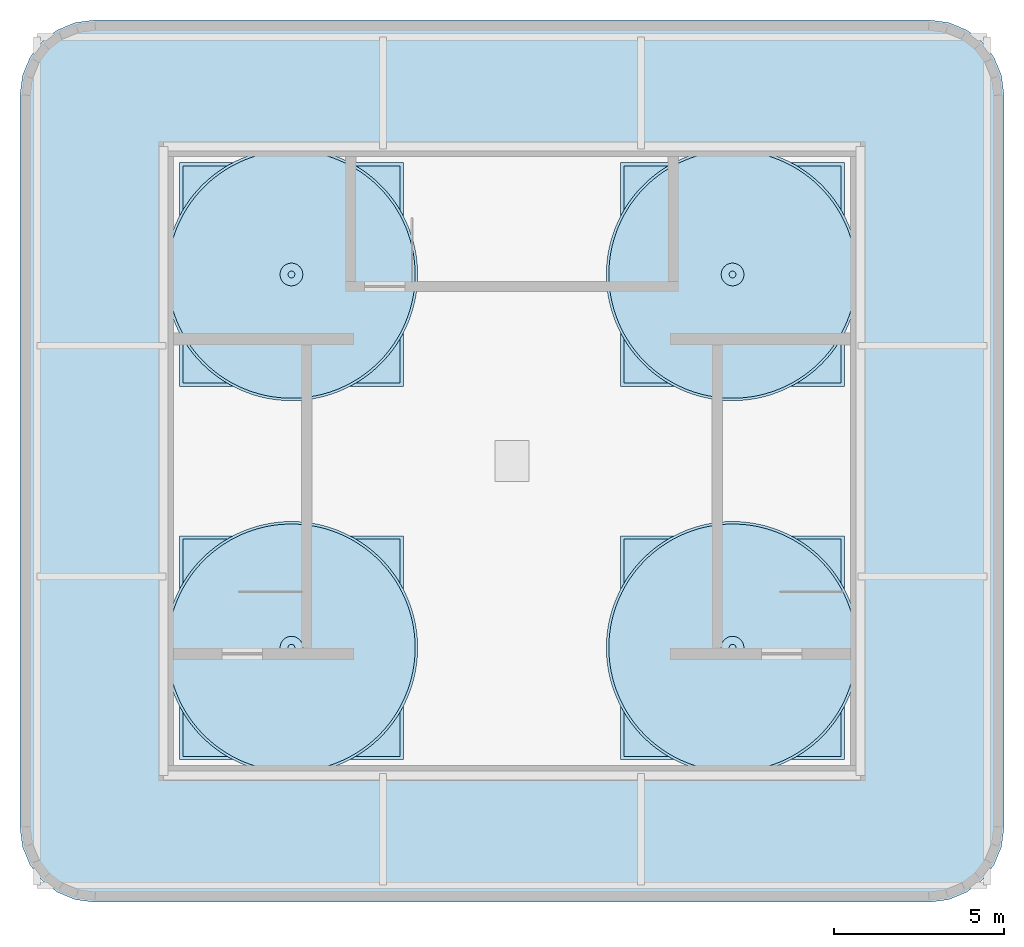
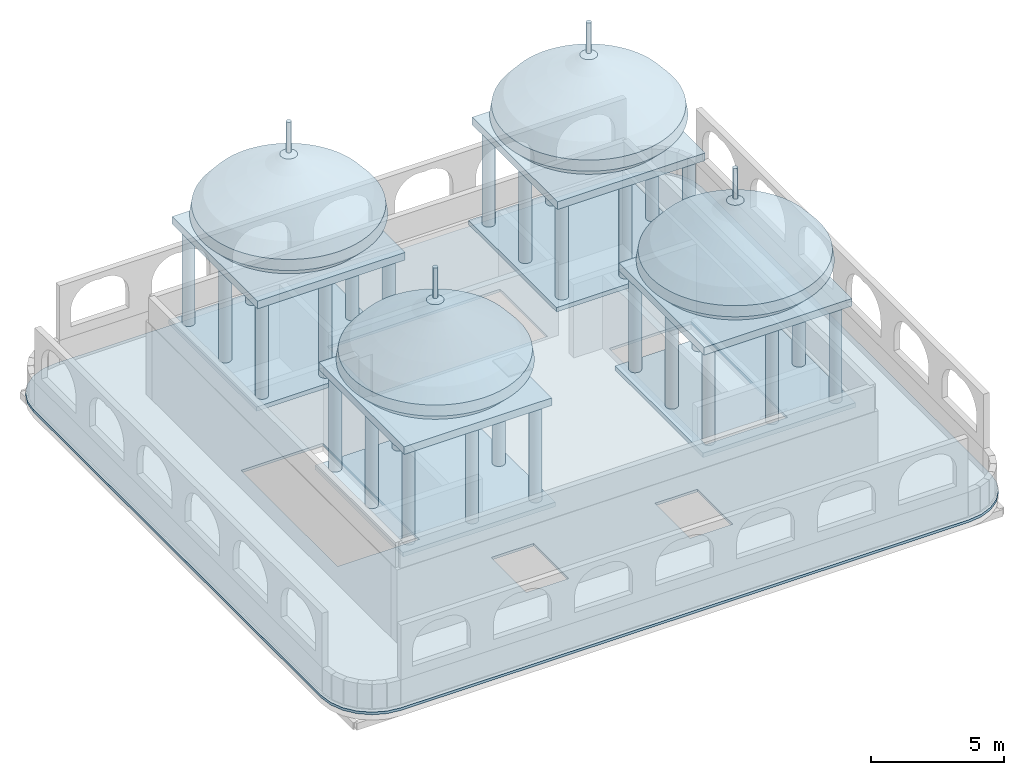
# One storey, part 2 of 3: 5 roofs.
"""IFC4 building model written with IfcOpenShell, lengths in metres."""

from ifc_helpers import new_model, entity, si_unit, direction, frame, origin, origin_2d, place, context, subcontext, project, spatial, polyline, rectangle, circle, outline, extrude, material, layer, layer_set, type_object, element, save


model = new_model("IFC4")

# Units and contexts
model_context = context("Model", 3, precision=1e-05, world=origin(), true_north=direction((0.0, 1.0)))
body_context = subcontext(model_context, "Body", "Model", "MODEL_VIEW")
ifc_project = project(units=[si_unit("LENGTHUNIT", "METRE"), si_unit("AREAUNIT", "SQUARE_METRE"), si_unit("VOLUMEUNIT", "CUBIC_METRE"), si_unit("PLANEANGLEUNIT", "RADIAN"), si_unit("MASSUNIT", "GRAM", prefix="KILO")], contexts=[model_context])

# Site, building, storey
site_placement = place(None, origin())
site = spatial("IfcSite", under=ifc_project, at=site_placement, CompositionType="ELEMENT")
building_placement = place(site_placement, origin())
building = spatial("IfcBuilding", under=site, at=building_placement, Name="Punatoya Terracotta Tower", CompositionType="ELEMENT")
storey_placement = place(building_placement, frame((0.0, 0.0, 370.800048828125)))
storey = spatial("IfcBuildingStorey", under=building, at=storey_placement, Name="RF", CompositionType="ELEMENT", Elevation=370.800048828125)

# Roofs
ifc_material_1 = material(Name="Concrete C40/50", Category="concrete")
ifc_layer = layer(ifc_material_1, 0.25)
ifc_layer_set = layer_set([ifc_layer], Name="Concrete C40/50")
roof_type_1 = type_object("IfcRoofType", Name="ROF-BARADARI", PredefinedType="FLAT_ROOF", material=ifc_layer_set)
roof_1_placement = place(storey_placement, origin())
element("IfcRoof", 1, at=roof_1_placement, inside=storey, type_object=roof_type_1, Name="RF Baradari Crown Waterproofing Roof Assembly", PredefinedType="FLAT_ROOF", context=body_context, shape_type="SweptSolid", body=[
    extrude(outline(polyline([(-12.300048828125, -13.0), (12.300048828125, -13.0), (12.869384765625, -12.925048828125), (13.39990234375, -12.705322265625), (13.855712890625, -12.355712890625), (14.205322265625, -11.89990234375), (14.425048828125, -11.369384765625), (14.5, -10.800048828125), (14.5, 10.800048828125), (14.425048828125, 11.369384765625), (14.205322265625, 11.89990234375), (13.855712890625, 12.355712890625), (13.39990234375, 12.705322265625), (12.869384765625, 12.925048828125), (12.300048828125, 13.0), (-12.300048828125, 13.0), (-12.869384765625, 12.925048828125), (-13.39990234375, 12.705322265625), (-13.855712890625, 12.355712890625), (-14.205322265625, 11.89990234375), (-14.425048828125, 11.369384765625), (-14.5, 10.800048828125), (-14.5, -10.800048828125), (-14.425048828125, -11.369384765625), (-14.205322265625, -11.89990234375), (-13.855712890625, -12.355712890625), (-13.39990234375, -12.705322265625), (-12.869384765625, -12.925048828125), (-12.300048828125, -13.0)]), holes=[polyline([(-4.469970703125, -6.179931640625), (-2.6298828125, -6.179931640625), (-2.6298828125, -8.820068359375), (-4.469970703125, -8.820068359375), (-4.469970703125, -6.179931640625)]), polyline([(2.6298828125, -6.179931640625), (4.469970703125, -6.179931640625), (4.469970703125, -8.820068359375), (2.6298828125, -8.820068359375), (2.6298828125, -6.179931640625)]), polyline([(-9.75, -3.79931640625), (-9.75, 3.449951171875), (-6.199951171875, 3.449951171875), (-6.199951171875, -3.79931640625), (-9.75, -3.79931640625)]), polyline([(6.199951171875, 3.449951171875), (9.75, 3.449951171875), (9.75, -3.79931640625), (6.199951171875, -3.79931640625), (6.199951171875, 3.449951171875)]), polyline([(4.60009765625, 8.85009765625), (4.60009765625, 5.300048828125), (-2.899169921875, 5.300048828125), (-2.899169921875, 8.85009765625), (4.60009765625, 8.85009765625)])]), origin(), (0.0, 0.0, 1.0), 0.119873046875),
])
ifc_material_2 = material(Name="Architectural Fired Terracotta", Category="masonry")
roof_type_2 = type_object("IfcRoofType", Name="ROF-CHH-6000", PredefinedType="DOME_ROOF", material=ifc_material_2)
roof_2_placement = place(storey_placement, frame((6.5, 5.5, 3.599853515625), z_axis=(0.0, 0.0, 1.0), x_axis=(1.0, 0.0, 0.0)))
cartesian_point_1 = entity("IfcCartesianPoint", [0.0, 0.0])
element("IfcRoof", 2, at=roof_2_placement, inside=storey, type_object=roof_type_2, Name="RF Crown Corner Pavilion (Chhatri) CH-14", PredefinedType="DOME_ROOF", context=body_context, shape_type="SweptSolid", body=[
    extrude(rectangle(XDim=6.60009765625, YDim=6.60009765625, at=origin_2d()), origin(), (0.0, 0.0, 1.0), 0.199951171875),
    extrude(circle(Radius=0.25, at=origin_2d()), frame((-2.75, -2.75, 0.199951171875)), (0.0, 0.0, 1.0), 4.39990234375),
    extrude(circle(Radius=0.25, at=origin_2d()), frame((2.75, -2.75, 0.199951171875)), (0.0, 0.0, 1.0), 4.39990234375),
    extrude(circle(Radius=0.25, at=origin_2d()), frame((2.75, 2.75, 0.199951171875)), (0.0, 0.0, 1.0), 4.39990234375),
    extrude(circle(Radius=0.25, at=origin_2d()), frame((-2.75, 2.75, 0.199951171875)), (0.0, 0.0, 1.0), 4.39990234375),
    extrude(circle(Radius=0.25, at=origin_2d()), frame((0.0, -2.75, 0.199951171875)), (0.0, 0.0, 1.0), 4.39990234375),
    extrude(circle(Radius=0.25, at=origin_2d()), frame((2.75, 0.0, 0.199951171875)), (0.0, 0.0, 1.0), 4.39990234375),
    extrude(circle(Radius=0.25, at=origin_2d()), frame((0.0, 2.75, 0.199951171875)), (0.0, 0.0, 1.0), 4.39990234375),
    extrude(circle(Radius=0.25, at=origin_2d()), frame((-2.75, 0.0, 0.199951171875)), (0.0, 0.0, 1.0), 4.39990234375),
    extrude(rectangle(XDim=6.39990234375, YDim=6.39990234375, at=origin_2d()), frame((0.0, 0.0, 4.599853515625)), (0.0, 0.0, 1.0), 0.35009765625),
    entity("IfcRevolvedAreaSolid", entity("IfcArbitraryClosedProfileDef", "AREA", None, entity("IfcPolyline", [cartesian_point_1, entity("IfcCartesianPoint", [2.455078125, 0.0]), entity("IfcCartesianPoint", [2.678466796875, 0.18994140625]), entity("IfcCartesianPoint", [3.273681640625, 0.493896484375]), entity("IfcCartesianPoint", [3.719970703125, 0.949951171875]), entity("IfcCartesianPoint", [3.6455078125, 1.406005859375]), entity("IfcCartesianPoint", [3.19921875, 1.93798828125]), entity("IfcCartesianPoint", [2.380859375, 2.469970703125]), entity("IfcCartesianPoint", [1.5625, 2.926025390625]), entity("IfcCartesianPoint", [0.892822265625, 3.26806640625]), entity("IfcCartesianPoint", [0.520751953125, 3.533935546875]), entity("IfcCartesianPoint", [0.334716796875, 3.68603515625]), entity("IfcCartesianPoint", [0.0, 3.800048828125]), cartesian_point_1])), entity("IfcAxis2Placement3D", entity("IfcCartesianPoint", [0.0, 0.0, 4.949951171875]), entity("IfcDirection", [0.0, -1.0, 0.0]), entity("IfcDirection", [1.0, 0.0, 0.0])), entity("IfcAxis1Placement", entity("IfcCartesianPoint", [0.0, 0.0, 0.0]), entity("IfcDirection", [0.0, 1.0, 0.0])), 6.283185307179586),
    extrude(circle(Radius=0.10009765625, at=origin_2d()), frame((0.0, 0.0, 8.75)), (0.0, 0.0, 1.0), 1.39990234375),
])
roof_3_placement = place(storey_placement, frame((-6.5, 5.5, 3.599853515625), z_axis=(0.0, 0.0, 1.0), x_axis=(1.0, 0.0, 0.0)))
cartesian_point_2 = entity("IfcCartesianPoint", [0.0, 0.0])
element("IfcRoof", 3, at=roof_3_placement, inside=storey, type_object=roof_type_2, Name="RF Crown Corner Pavilion (Chhatri) CH-15", PredefinedType="DOME_ROOF", context=body_context, shape_type="SweptSolid", body=[
    extrude(rectangle(XDim=6.60009765625, YDim=6.60009765625, at=origin_2d()), origin(), (0.0, 0.0, 1.0), 0.199951171875),
    extrude(circle(Radius=0.25, at=origin_2d()), frame((-2.75, -2.75, 0.199951171875)), (0.0, 0.0, 1.0), 4.39990234375),
    extrude(circle(Radius=0.25, at=origin_2d()), frame((2.75, -2.75, 0.199951171875)), (0.0, 0.0, 1.0), 4.39990234375),
    extrude(circle(Radius=0.25, at=origin_2d()), frame((2.75, 2.75, 0.199951171875)), (0.0, 0.0, 1.0), 4.39990234375),
    extrude(circle(Radius=0.25, at=origin_2d()), frame((-2.75, 2.75, 0.199951171875)), (0.0, 0.0, 1.0), 4.39990234375),
    extrude(circle(Radius=0.25, at=origin_2d()), frame((0.0, -2.75, 0.199951171875)), (0.0, 0.0, 1.0), 4.39990234375),
    extrude(circle(Radius=0.25, at=origin_2d()), frame((2.75, 0.0, 0.199951171875)), (0.0, 0.0, 1.0), 4.39990234375),
    extrude(circle(Radius=0.25, at=origin_2d()), frame((0.0, 2.75, 0.199951171875)), (0.0, 0.0, 1.0), 4.39990234375),
    extrude(circle(Radius=0.25, at=origin_2d()), frame((-2.75, 0.0, 0.199951171875)), (0.0, 0.0, 1.0), 4.39990234375),
    extrude(rectangle(XDim=6.39990234375, YDim=6.39990234375, at=origin_2d()), frame((0.0, 0.0, 4.599853515625)), (0.0, 0.0, 1.0), 0.35009765625),
    entity("IfcRevolvedAreaSolid", entity("IfcArbitraryClosedProfileDef", "AREA", None, entity("IfcPolyline", [cartesian_point_2, entity("IfcCartesianPoint", [2.455078125, 0.0]), entity("IfcCartesianPoint", [2.678466796875, 0.18994140625]), entity("IfcCartesianPoint", [3.273681640625, 0.493896484375]), entity("IfcCartesianPoint", [3.719970703125, 0.949951171875]), entity("IfcCartesianPoint", [3.6455078125, 1.406005859375]), entity("IfcCartesianPoint", [3.19921875, 1.93798828125]), entity("IfcCartesianPoint", [2.380859375, 2.469970703125]), entity("IfcCartesianPoint", [1.5625, 2.926025390625]), entity("IfcCartesianPoint", [0.892822265625, 3.26806640625]), entity("IfcCartesianPoint", [0.520751953125, 3.533935546875]), entity("IfcCartesianPoint", [0.334716796875, 3.68603515625]), entity("IfcCartesianPoint", [0.0, 3.800048828125]), cartesian_point_2])), entity("IfcAxis2Placement3D", entity("IfcCartesianPoint", [0.0, 0.0, 4.949951171875]), entity("IfcDirection", [0.0, -1.0, 0.0]), entity("IfcDirection", [1.0, 0.0, 0.0])), entity("IfcAxis1Placement", entity("IfcCartesianPoint", [0.0, 0.0, 0.0]), entity("IfcDirection", [0.0, 1.0, 0.0])), 6.283185307179586),
    extrude(circle(Radius=0.10009765625, at=origin_2d()), frame((0.0, 0.0, 8.75)), (0.0, 0.0, 1.0), 1.39990234375),
])
roof_4_placement = place(storey_placement, frame((-6.5, -5.5, 3.599853515625), z_axis=(0.0, 0.0, 1.0), x_axis=(1.0, 0.0, 0.0)))
cartesian_point_3 = entity("IfcCartesianPoint", [0.0, 0.0])
element("IfcRoof", 4, at=roof_4_placement, inside=storey, type_object=roof_type_2, Name="RF Crown Corner Pavilion (Chhatri) CH-16", PredefinedType="DOME_ROOF", context=body_context, shape_type="SweptSolid", body=[
    extrude(rectangle(XDim=6.60009765625, YDim=6.60009765625, at=origin_2d()), origin(), (0.0, 0.0, 1.0), 0.199951171875),
    extrude(circle(Radius=0.25, at=origin_2d()), frame((-2.75, -2.75, 0.199951171875)), (0.0, 0.0, 1.0), 4.39990234375),
    extrude(circle(Radius=0.25, at=origin_2d()), frame((2.75, -2.75, 0.199951171875)), (0.0, 0.0, 1.0), 4.39990234375),
    extrude(circle(Radius=0.25, at=origin_2d()), frame((2.75, 2.75, 0.199951171875)), (0.0, 0.0, 1.0), 4.39990234375),
    extrude(circle(Radius=0.25, at=origin_2d()), frame((-2.75, 2.75, 0.199951171875)), (0.0, 0.0, 1.0), 4.39990234375),
    extrude(circle(Radius=0.25, at=origin_2d()), frame((0.0, -2.75, 0.199951171875)), (0.0, 0.0, 1.0), 4.39990234375),
    extrude(circle(Radius=0.25, at=origin_2d()), frame((2.75, 0.0, 0.199951171875)), (0.0, 0.0, 1.0), 4.39990234375),
    extrude(circle(Radius=0.25, at=origin_2d()), frame((0.0, 2.75, 0.199951171875)), (0.0, 0.0, 1.0), 4.39990234375),
    extrude(circle(Radius=0.25, at=origin_2d()), frame((-2.75, 0.0, 0.199951171875)), (0.0, 0.0, 1.0), 4.39990234375),
    extrude(rectangle(XDim=6.39990234375, YDim=6.39990234375, at=origin_2d()), frame((0.0, 0.0, 4.599853515625)), (0.0, 0.0, 1.0), 0.35009765625),
    entity("IfcRevolvedAreaSolid", entity("IfcArbitraryClosedProfileDef", "AREA", None, entity("IfcPolyline", [cartesian_point_3, entity("IfcCartesianPoint", [2.455078125, 0.0]), entity("IfcCartesianPoint", [2.678466796875, 0.18994140625]), entity("IfcCartesianPoint", [3.273681640625, 0.493896484375]), entity("IfcCartesianPoint", [3.719970703125, 0.949951171875]), entity("IfcCartesianPoint", [3.6455078125, 1.406005859375]), entity("IfcCartesianPoint", [3.19921875, 1.93798828125]), entity("IfcCartesianPoint", [2.380859375, 2.469970703125]), entity("IfcCartesianPoint", [1.5625, 2.926025390625]), entity("IfcCartesianPoint", [0.892822265625, 3.26806640625]), entity("IfcCartesianPoint", [0.520751953125, 3.533935546875]), entity("IfcCartesianPoint", [0.334716796875, 3.68603515625]), entity("IfcCartesianPoint", [0.0, 3.800048828125]), cartesian_point_3])), entity("IfcAxis2Placement3D", entity("IfcCartesianPoint", [0.0, 0.0, 4.949951171875]), entity("IfcDirection", [0.0, -1.0, 0.0]), entity("IfcDirection", [1.0, 0.0, 0.0])), entity("IfcAxis1Placement", entity("IfcCartesianPoint", [0.0, 0.0, 0.0]), entity("IfcDirection", [0.0, 1.0, 0.0])), 6.283185307179586),
    extrude(circle(Radius=0.10009765625, at=origin_2d()), frame((0.0, 0.0, 8.75)), (0.0, 0.0, 1.0), 1.39990234375),
])
roof_5_placement = place(storey_placement, frame((6.5, -5.5, 3.599853515625), z_axis=(0.0, 0.0, 1.0), x_axis=(1.0, 0.0, 0.0)))
cartesian_point_4 = entity("IfcCartesianPoint", [0.0, 0.0])
element("IfcRoof", 5, at=roof_5_placement, inside=storey, type_object=roof_type_2, Name="RF Crown Corner Pavilion (Chhatri) CH-17", PredefinedType="DOME_ROOF", context=body_context, shape_type="SweptSolid", body=[
    extrude(rectangle(XDim=6.60009765625, YDim=6.60009765625, at=origin_2d()), origin(), (0.0, 0.0, 1.0), 0.199951171875),
    extrude(circle(Radius=0.25, at=origin_2d()), frame((-2.75, -2.75, 0.199951171875)), (0.0, 0.0, 1.0), 4.39990234375),
    extrude(circle(Radius=0.25, at=origin_2d()), frame((2.75, -2.75, 0.199951171875)), (0.0, 0.0, 1.0), 4.39990234375),
    extrude(circle(Radius=0.25, at=origin_2d()), frame((2.75, 2.75, 0.199951171875)), (0.0, 0.0, 1.0), 4.39990234375),
    extrude(circle(Radius=0.25, at=origin_2d()), frame((-2.75, 2.75, 0.199951171875)), (0.0, 0.0, 1.0), 4.39990234375),
    extrude(circle(Radius=0.25, at=origin_2d()), frame((0.0, -2.75, 0.199951171875)), (0.0, 0.0, 1.0), 4.39990234375),
    extrude(circle(Radius=0.25, at=origin_2d()), frame((2.75, 0.0, 0.199951171875)), (0.0, 0.0, 1.0), 4.39990234375),
    extrude(circle(Radius=0.25, at=origin_2d()), frame((0.0, 2.75, 0.199951171875)), (0.0, 0.0, 1.0), 4.39990234375),
    extrude(circle(Radius=0.25, at=origin_2d()), frame((-2.75, 0.0, 0.199951171875)), (0.0, 0.0, 1.0), 4.39990234375),
    extrude(rectangle(XDim=6.39990234375, YDim=6.39990234375, at=origin_2d()), frame((0.0, 0.0, 4.599853515625)), (0.0, 0.0, 1.0), 0.35009765625),
    entity("IfcRevolvedAreaSolid", entity("IfcArbitraryClosedProfileDef", "AREA", None, entity("IfcPolyline", [cartesian_point_4, entity("IfcCartesianPoint", [2.455078125, 0.0]), entity("IfcCartesianPoint", [2.678466796875, 0.18994140625]), entity("IfcCartesianPoint", [3.273681640625, 0.493896484375]), entity("IfcCartesianPoint", [3.719970703125, 0.949951171875]), entity("IfcCartesianPoint", [3.6455078125, 1.406005859375]), entity("IfcCartesianPoint", [3.19921875, 1.93798828125]), entity("IfcCartesianPoint", [2.380859375, 2.469970703125]), entity("IfcCartesianPoint", [1.5625, 2.926025390625]), entity("IfcCartesianPoint", [0.892822265625, 3.26806640625]), entity("IfcCartesianPoint", [0.520751953125, 3.533935546875]), entity("IfcCartesianPoint", [0.334716796875, 3.68603515625]), entity("IfcCartesianPoint", [0.0, 3.800048828125]), cartesian_point_4])), entity("IfcAxis2Placement3D", entity("IfcCartesianPoint", [0.0, 0.0, 4.949951171875]), entity("IfcDirection", [0.0, -1.0, 0.0]), entity("IfcDirection", [1.0, 0.0, 0.0])), entity("IfcAxis1Placement", entity("IfcCartesianPoint", [0.0, 0.0, 0.0]), entity("IfcDirection", [0.0, 1.0, 0.0])), 6.283185307179586),
    extrude(circle(Radius=0.10009765625, at=origin_2d()), frame((0.0, 0.0, 8.75)), (0.0, 0.0, 1.0), 1.39990234375),
])

save(model, "model.ifc")
